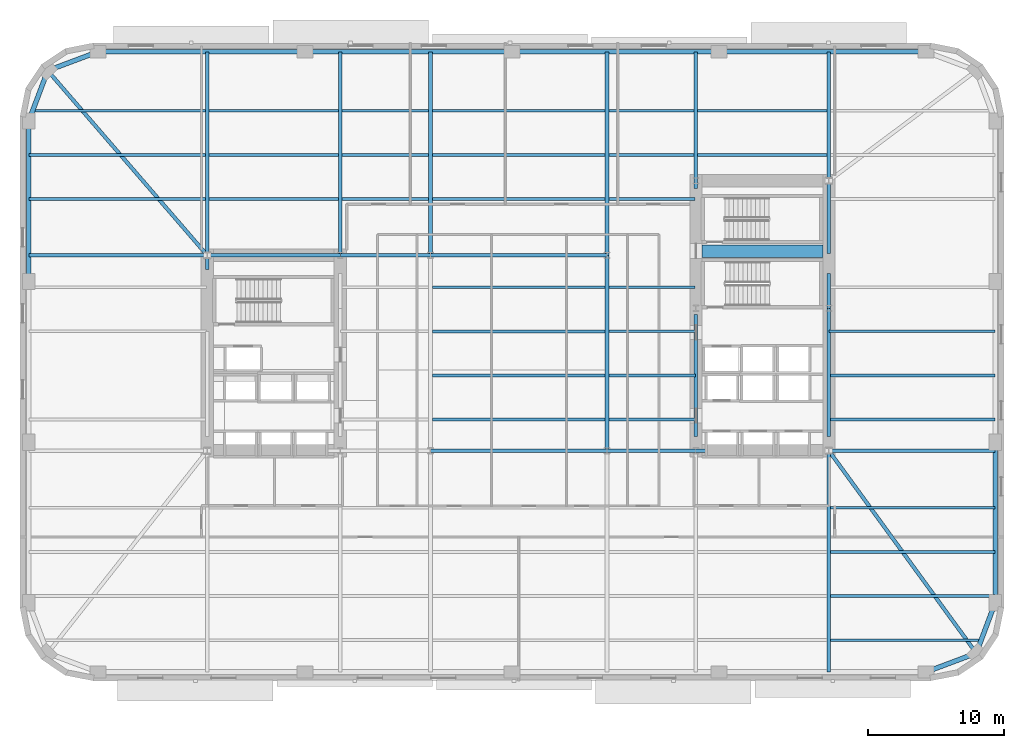
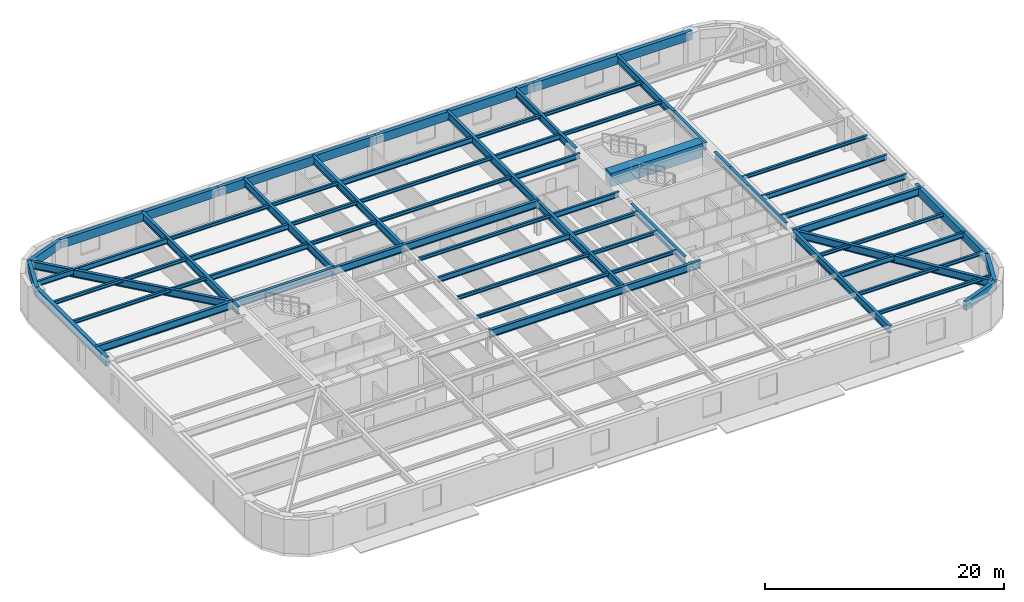
# One storey, part 2 of 14: 64 beams.
"""IFC4 building model written with IfcOpenShell, lengths in metres."""

from ifc_helpers import new_model, si_unit, direction, frame, origin, origin_2d, place, context, subcontext, project, spatial, rectangle, hollow_rectangle, i_section, extrude, material, material_profile, profile_set, type_object, element, save


model = new_model("IFC4")

# Units and contexts
model_context = context("Model", 3, precision=1e-05, world=origin(), true_north=direction((0.0, 1.0)))
body_context = subcontext(model_context, "Body", "Model", "MODEL_VIEW")
ifc_project = project(units=[si_unit("LENGTHUNIT", "METRE"), si_unit("AREAUNIT", "SQUARE_METRE"), si_unit("VOLUMEUNIT", "CUBIC_METRE"), si_unit("PLANEANGLEUNIT", "RADIAN"), si_unit("MASSUNIT", "GRAM", prefix="KILO")], contexts=[model_context])

# Site, building, storey
site_placement = place(None, origin())
site = spatial("IfcSite", under=ifc_project, at=site_placement, CompositionType="ELEMENT")
building_placement = place(site_placement, origin())
building = spatial("IfcBuilding", under=site, at=building_placement, Name="Kolvaren Arena Tower", CompositionType="ELEMENT")
storey_placement = place(building_placement, frame((0.0, 0.0, 75.75)))
storey = spatial("IfcBuildingStorey", under=building, at=storey_placement, Name="L16", CompositionType="ELEMENT", Elevation=75.75)

# Beams
ifc_material_1 = material(Name="Steel CSA G40.21 350W", Category="steel")
ifc_material_profile_1 = material_profile(ifc_material_1, i_section(OverallWidth=0.2119140625, OverallDepth=0.54296875, WebThickness=0.01318359375, FlangeThickness=0.0244140625, FilletRadius=0.013916015625, at=origin_2d()), Name="W530x150")
ifc_profile_set_1 = profile_set([ifc_material_profile_1], Name="Steel CSA G40.21 350W")
beam_type_1 = type_object("IfcBeamType", Name="BEAM-F1", PredefinedType="BEAM", material=ifc_profile_set_1)
beam_1_placement = place(storey_placement, frame((60.485107421875, 12.0, 3.20849609375), z_axis=(1.0, 0.0, 0.0), x_axis=(0.0, 1.0, 0.0)))
element("IfcBeam", 1, at=beam_1_placement, inside=storey, type_object=beam_type_1, Name="Composite Floor Beam (L16)", PredefinedType="BEAM", context=body_context, shape_type="SweptSolid", body=[
    extrude(i_section(OverallWidth=0.2119140625, OverallDepth=0.54296875, WebThickness=0.01318359375, FlangeThickness=0.0244140625, FilletRadius=0.013916015625, at=origin_2d()), origin(), (0.0, 0.0, 1.0), 12.114990234375),
])
for number, where, z_axis, x_axis, name in (
    (2, (60.3701171875, 21.75, 3.20849609375), (1.0, 0.0, 0.0), (0.0, 1.0, 0.0), "Composite Floor Beam (L16)"),
    (3, (60.3701171875, 25.0, 3.20849609375), (1.0, 0.0, 0.0), (0.0, 1.0, 0.0), "Composite Floor Beam (L16)"),
):
    element("IfcBeam", number, at=place(storey_placement, frame(where, z_axis=z_axis, x_axis=x_axis)), inside=storey, type_object=beam_type_1, Name=name, PredefinedType="BEAM", context=body_context, shape_type="SweptSolid", body=[
        extrude(i_section(OverallWidth=0.2119140625, OverallDepth=0.54296875, WebThickness=0.01318359375, FlangeThickness=0.0244140625, FilletRadius=0.013916015625, at=origin_2d()), origin(), (0.0, 0.0, 1.0), 12.22998046875),
    ])
beam_2_placement = place(storey_placement, frame((31.135009765625, 28.25, 3.20849609375), z_axis=(1.0, 0.0, 0.0), x_axis=(0.0, 1.0, 0.0)))
element("IfcBeam", 4, at=beam_2_placement, inside=storey, type_object=beam_type_1, Name="Composite Floor Beam (L16)", PredefinedType="BEAM", context=body_context, shape_type="SweptSolid", body=[
    extrude(i_section(OverallWidth=0.2119140625, OverallDepth=0.54296875, WebThickness=0.01318359375, FlangeThickness=0.0244140625, FilletRadius=0.013916015625, at=origin_2d()), origin(), (0.0, 0.0, 1.0), 12.72998046875),
])
beam_3_placement = place(storey_placement, frame((44.135009765625, 31.5, 3.20849609375), z_axis=(1.0, 0.0, 0.0), x_axis=(0.0, 1.0, 0.0)))
element("IfcBeam", 5, at=beam_3_placement, inside=storey, type_object=beam_type_1, Name="Composite Floor Beam (L16)", PredefinedType="BEAM", context=body_context, shape_type="SweptSolid", body=[
    extrude(i_section(OverallWidth=0.2119140625, OverallDepth=0.54296875, WebThickness=0.01318359375, FlangeThickness=0.0244140625, FilletRadius=0.013916015625, at=origin_2d()), origin(), (0.0, 0.0, 1.0), 6.344970703125),
])
beam_4_placement = place(storey_placement, frame((14.68505859375, 38.0, 3.20849609375), z_axis=(1.0, 0.0, 0.0), x_axis=(0.0, 1.0, 0.0)))
element("IfcBeam", 6, at=beam_4_placement, inside=storey, type_object=beam_type_1, Name="Composite Floor Beam (L16)", PredefinedType="BEAM", context=body_context, shape_type="SweptSolid", body=[
    extrude(i_section(OverallWidth=0.2119140625, OverallDepth=0.54296875, WebThickness=0.01318359375, FlangeThickness=0.0244140625, FilletRadius=0.013916015625, at=origin_2d()), origin(), (0.0, 0.0, 1.0), 9.530029296875),
])
beam_5_placement = place(storey_placement, frame((44.135009765625, 38.0, 3.20849609375), z_axis=(1.0, 0.0, 0.0), x_axis=(0.0, 1.0, 0.0)))
element("IfcBeam", 7, at=beam_5_placement, inside=storey, type_object=beam_type_1, Name="Composite Floor Beam (L16)", PredefinedType="BEAM", context=body_context, shape_type="SweptSolid", body=[
    extrude(i_section(OverallWidth=0.2119140625, OverallDepth=0.54296875, WebThickness=0.01318359375, FlangeThickness=0.0244140625, FilletRadius=0.013916015625, at=origin_2d()), origin(), (0.0, 0.0, 1.0), 6.344970703125),
])
beam_6_placement = place(storey_placement, frame((14.68505859375, 41.25, 3.20849609375), z_axis=(1.0, 0.0, 0.0), x_axis=(0.0, 1.0, 0.0)))
element("IfcBeam", 8, at=beam_6_placement, inside=storey, type_object=beam_type_1, Name="Composite Floor Beam (L16)", PredefinedType="BEAM", context=body_context, shape_type="SweptSolid", body=[
    extrude(i_section(OverallWidth=0.2119140625, OverallDepth=0.54296875, WebThickness=0.01318359375, FlangeThickness=0.0244140625, FilletRadius=0.013916015625, at=origin_2d()), origin(), (0.0, 0.0, 1.0), 9.530029296875),
])
beam_7_placement = place(storey_placement, frame((44.135009765625, 41.25, 3.20849609375), z_axis=(1.0, 0.0, 0.0), x_axis=(0.0, 1.0, 0.0)))
element("IfcBeam", 9, at=beam_7_placement, inside=storey, type_object=beam_type_1, Name="Composite Floor Beam (L16)", PredefinedType="BEAM", context=body_context, shape_type="SweptSolid", body=[
    extrude(i_section(OverallWidth=0.2119140625, OverallDepth=0.54296875, WebThickness=0.01318359375, FlangeThickness=0.0244140625, FilletRadius=0.013916015625, at=origin_2d()), origin(), (0.0, 0.0, 1.0), 6.280029296875),
])
beam_8_placement = place(storey_placement, frame((1.681396484375, 44.5, 3.20849609375), z_axis=(1.0, 0.0, 0.0), x_axis=(0.0, 1.0, 0.0)))
element("IfcBeam", 10, at=beam_8_placement, inside=storey, type_object=beam_type_1, Name="Composite Floor Beam (L16)", PredefinedType="BEAM", context=body_context, shape_type="SweptSolid", body=[
    extrude(i_section(OverallWidth=0.2119140625, OverallDepth=0.54296875, WebThickness=0.01318359375, FlangeThickness=0.0244140625, FilletRadius=0.013916015625, at=origin_2d()), origin(), (0.0, 0.0, 1.0), 12.733642578125),
])
beam_9_placement = place(storey_placement, frame((31.135009765625, 44.5, 3.20849609375), z_axis=(1.0, 0.0, 0.0), x_axis=(0.0, 1.0, 0.0)))
element("IfcBeam", 11, at=beam_9_placement, inside=storey, type_object=beam_type_1, Name="Composite Floor Beam (L16)", PredefinedType="BEAM", context=body_context, shape_type="SweptSolid", body=[
    extrude(i_section(OverallWidth=0.2119140625, OverallDepth=0.54296875, WebThickness=0.01318359375, FlangeThickness=0.0244140625, FilletRadius=0.013916015625, at=origin_2d()), origin(), (0.0, 0.0, 1.0), 12.72998046875),
])
ifc_material_2 = material(Name="Concrete 75 MPa", Category="concrete")
ifc_material_profile_2 = material_profile(ifc_material_2, rectangle(XDim=0.89990234375, YDim=1.39990234375, at=origin_2d()), Name="RC-900x1400")
ifc_profile_set_2 = profile_set([ifc_material_profile_2], Name="Concrete 75 MPa")
beam_type_2 = type_object("IfcBeamType", Name="CB-CORE-1", PredefinedType="BEAM", material=ifc_profile_set_2)
beam_10_placement = place(storey_placement, frame((51.0, 34.14990234375, 3.050048828125), z_axis=(1.0, 0.0, 0.0), x_axis=(0.0, 1.0, 0.0)))
element("IfcBeam", 12, at=beam_10_placement, inside=storey, type_object=beam_type_2, Name="East Core Coupling Beam (L16)", PredefinedType="BEAM", context=body_context, shape_type="SweptSolid", body=[
    extrude(rectangle(XDim=0.89990234375, YDim=1.39990234375, at=origin_2d()), origin(), (0.0, 0.0, 1.0), 8.89990234375),
])
ifc_material_profile_3 = material_profile(ifc_material_1, i_section(OverallWidth=0.27001953125, OverallDepth=0.77294921875, WebThickness=0.019287109375, FlangeThickness=0.033447265625, FilletRadius=0.01806640625, at=origin_2d()), Name="W760x257")
ifc_profile_set_3 = profile_set([ifc_material_profile_3], Name="Steel CSA G40.21 350W")
beam_type_3 = type_object("IfcBeamType", Name="GIRD-T1", PredefinedType="BEAM", material=ifc_profile_set_3)
beam_11_placement = place(storey_placement, frame((71.208740234375, 4.541259765625, 3.093505859375), z_axis=(-0.588737448901, 0.80832432616, 0.0), x_axis=(-0.80832432616, -0.588737448901, 0.0)))
element("IfcBeam", 13, at=beam_11_placement, inside=storey, type_object=beam_type_3, Name="Corner Diagonal Tie Girder (L16)", PredefinedType="BEAM", context=body_context, shape_type="SweptSolid", body=[
    extrude(i_section(OverallWidth=0.27001953125, OverallDepth=0.77294921875, WebThickness=0.019287109375, FlangeThickness=0.033447265625, FilletRadius=0.01806640625, at=origin_2d()), origin(), (0.0, 0.0, 1.0), 18.44384765625),
])
beam_12_placement = place(storey_placement, frame((2.791259765625, 47.458740234375, 3.093505859375), z_axis=(0.653806810332, -0.756661519283, 0.0), x_axis=(0.756661519283, 0.653806810332, 0.0)))
element("IfcBeam", 14, at=beam_12_placement, inside=storey, type_object=beam_type_3, Name="Corner Diagonal Tie Girder (L16)", PredefinedType="BEAM", context=body_context, shape_type="SweptSolid", body=[
    extrude(i_section(OverallWidth=0.27001953125, OverallDepth=0.77294921875, WebThickness=0.019287109375, FlangeThickness=0.033447265625, FilletRadius=0.01806640625, at=origin_2d()), origin(), (0.0, 0.0, 1.0), 17.985107421875),
])
beam_13_placement = place(storey_placement, frame((31.0, 19.449951171875, 3.093505859375), z_axis=(1.0, 0.0, 0.0), x_axis=(0.0, 1.0, 0.0)))
element("IfcBeam", 15, at=beam_13_placement, inside=storey, type_object=beam_type_3, Name="Primary Floor Girder (L16)", PredefinedType="BEAM", context=body_context, shape_type="SweptSolid", body=[
    extrude(i_section(OverallWidth=0.27001953125, OverallDepth=0.77294921875, WebThickness=0.019287109375, FlangeThickness=0.033447265625, FilletRadius=0.01806640625, at=origin_2d()), origin(), (0.0, 0.0, 1.0), 13.0),
])
beam_14_placement = place(storey_placement, frame((44.0, 19.449951171875, 3.093505859375), z_axis=(1.0, 0.0, 0.0), x_axis=(0.0, 1.0, 0.0)))
element("IfcBeam", 16, at=beam_14_placement, inside=storey, type_object=beam_type_3, Name="Primary Floor Girder (L16)", PredefinedType="BEAM", context=body_context, shape_type="SweptSolid", body=[
    extrude(i_section(OverallWidth=0.27001953125, OverallDepth=0.77294921875, WebThickness=0.019287109375, FlangeThickness=0.033447265625, FilletRadius=0.01806640625, at=origin_2d()), origin(), (0.0, 0.0, 1.0), 7.4150390625),
])
beam_15_placement = place(storey_placement, frame((60.35009765625, 19.449951171875, 3.093505859375), z_axis=(1.0, 0.0, 0.0), x_axis=(0.0, 1.0, 0.0)))
element("IfcBeam", 17, at=beam_15_placement, inside=storey, type_object=beam_type_3, Name="Primary Floor Girder (L16)", PredefinedType="BEAM", context=body_context, shape_type="SweptSolid", body=[
    extrude(i_section(OverallWidth=0.27001953125, OverallDepth=0.77294921875, WebThickness=0.019287109375, FlangeThickness=0.033447265625, FilletRadius=0.01806640625, at=origin_2d()), origin(), (0.0, 0.0, 1.0), 12.25),
])
beam_16_placement = place(storey_placement, frame((1.39990234375, 33.85009765625, 3.093505859375), z_axis=(1.0, 0.0, 0.0), x_axis=(0.0, 1.0, 0.0)))
element("IfcBeam", 18, at=beam_16_placement, inside=storey, type_object=beam_type_3, Name="Primary Floor Girder (L16)", PredefinedType="BEAM", context=body_context, shape_type="SweptSolid", body=[
    extrude(i_section(OverallWidth=0.27001953125, OverallDepth=0.77294921875, WebThickness=0.019287109375, FlangeThickness=0.033447265625, FilletRadius=0.01806640625, at=origin_2d()), origin(), (0.0, 0.0, 1.0), 13.150146484375),
])
beam_17_placement = place(storey_placement, frame((14.550048828125, 33.85009765625, 3.093505859375), z_axis=(1.0, 0.0, 0.0), x_axis=(0.0, 1.0, 0.0)))
element("IfcBeam", 19, at=beam_17_placement, inside=storey, type_object=beam_type_3, Name="Primary Floor Girder (L16)", PredefinedType="BEAM", context=body_context, shape_type="SweptSolid", body=[
    extrude(i_section(OverallWidth=0.27001953125, OverallDepth=0.77294921875, WebThickness=0.019287109375, FlangeThickness=0.033447265625, FilletRadius=0.01806640625, at=origin_2d()), origin(), (0.0, 0.0, 1.0), 9.800048828125),
])
beam_18_placement = place(storey_placement, frame((24.35009765625, 33.85009765625, 3.093505859375), z_axis=(1.0, 0.0, 0.0), x_axis=(0.0, 1.0, 0.0)))
element("IfcBeam", 20, at=beam_18_placement, inside=storey, type_object=beam_type_3, Name="Primary Floor Girder (L16)", PredefinedType="BEAM", context=body_context, shape_type="SweptSolid", body=[
    extrude(i_section(OverallWidth=0.27001953125, OverallDepth=0.77294921875, WebThickness=0.019287109375, FlangeThickness=0.033447265625, FilletRadius=0.01806640625, at=origin_2d()), origin(), (0.0, 0.0, 1.0), 6.64990234375),
])
beam_19_placement = place(storey_placement, frame((31.0, 33.85009765625, 3.093505859375), z_axis=(1.0, 0.0, 0.0), x_axis=(0.0, 1.0, 0.0)))
element("IfcBeam", 21, at=beam_19_placement, inside=storey, type_object=beam_type_3, Name="Primary Floor Girder (L16)", PredefinedType="BEAM", context=body_context, shape_type="SweptSolid", body=[
    extrude(i_section(OverallWidth=0.27001953125, OverallDepth=0.77294921875, WebThickness=0.019287109375, FlangeThickness=0.033447265625, FilletRadius=0.01806640625, at=origin_2d()), origin(), (0.0, 0.0, 1.0), 13.0),
])
beam_20_placement = place(storey_placement, frame((14.550048828125, 32.7900390625, 3.093505859375), z_axis=(0.0, 1.0, 0.0), x_axis=(-1.0, 0.0, 0.0)))
element("IfcBeam", 22, at=beam_20_placement, inside=storey, type_object=beam_type_3, Name="Primary Floor Girder (L16)", PredefinedType="BEAM", context=body_context, shape_type="SweptSolid", body=[
    extrude(i_section(OverallWidth=0.27001953125, OverallDepth=0.77294921875, WebThickness=0.019287109375, FlangeThickness=0.033447265625, FilletRadius=0.01806640625, at=origin_2d()), origin(), (0.0, 0.0, 1.0), 16.06005859375),
])
for number, where, z_axis, x_axis, name in (
    (23, (24.35009765625, 33.85009765625, 3.093505859375), (0.0, 1.0, 0.0), (-1.0, 0.0, 0.0), "Primary Floor Girder (L16)"),
    (24, (31.0, 33.85009765625, 3.093505859375), (0.0, 1.0, 0.0), (-1.0, 0.0, 0.0), "Primary Floor Girder (L16)"),
):
    element("IfcBeam", number, at=place(storey_placement, frame(where, z_axis=z_axis, x_axis=x_axis)), inside=storey, type_object=beam_type_3, Name=name, PredefinedType="BEAM", context=body_context, shape_type="SweptSolid", body=[
        extrude(i_section(OverallWidth=0.27001953125, OverallDepth=0.77294921875, WebThickness=0.019287109375, FlangeThickness=0.033447265625, FilletRadius=0.01806640625, at=origin_2d()), origin(), (0.0, 0.0, 1.0), 15.0),
    ])
beam_21_placement = place(storey_placement, frame((44.0, 19.449951171875, 3.093505859375), z_axis=(0.0, 1.0, 0.0), x_axis=(-1.0, 0.0, 0.0)))
element("IfcBeam", 25, at=beam_21_placement, inside=storey, type_object=beam_type_3, Name="Primary Floor Girder (L16)", PredefinedType="BEAM", context=body_context, shape_type="SweptSolid", body=[
    extrude(i_section(OverallWidth=0.27001953125, OverallDepth=0.77294921875, WebThickness=0.019287109375, FlangeThickness=0.033447265625, FilletRadius=0.01806640625, at=origin_2d()), origin(), (0.0, 0.0, 1.0), 14.400146484375),
])
beam_22_placement = place(storey_placement, frame((44.0, 33.85009765625, 3.093505859375), z_axis=(0.0, 1.0, 0.0), x_axis=(-1.0, 0.0, 0.0)))
element("IfcBeam", 26, at=beam_22_placement, inside=storey, type_object=beam_type_3, Name="Primary Floor Girder (L16)", PredefinedType="BEAM", context=body_context, shape_type="SweptSolid", body=[
    extrude(i_section(OverallWidth=0.27001953125, OverallDepth=0.77294921875, WebThickness=0.019287109375, FlangeThickness=0.033447265625, FilletRadius=0.01806640625, at=origin_2d()), origin(), (0.0, 0.0, 1.0), 15.0),
])
beam_23_placement = place(storey_placement, frame((50.550048828125, 20.5, 3.093505859375), z_axis=(0.0, 1.0, 0.0), x_axis=(-1.0, 0.0, 0.0)))
element("IfcBeam", 27, at=beam_23_placement, inside=storey, type_object=beam_type_3, Name="Primary Floor Girder (L16)", PredefinedType="BEAM", context=body_context, shape_type="SweptSolid", body=[
    extrude(i_section(OverallWidth=0.27001953125, OverallDepth=0.77294921875, WebThickness=0.019287109375, FlangeThickness=0.033447265625, FilletRadius=0.01806640625, at=origin_2d()), origin(), (0.0, 0.0, 1.0), 8.989990234375),
])
beam_24_placement = place(storey_placement, frame((50.550048828125, 38.760009765625, 3.093505859375), z_axis=(0.0, 1.0, 0.0), x_axis=(-1.0, 0.0, 0.0)))
element("IfcBeam", 28, at=beam_24_placement, inside=storey, type_object=beam_type_3, Name="Primary Floor Girder (L16)", PredefinedType="BEAM", context=body_context, shape_type="SweptSolid", body=[
    extrude(i_section(OverallWidth=0.27001953125, OverallDepth=0.77294921875, WebThickness=0.019287109375, FlangeThickness=0.033447265625, FilletRadius=0.01806640625, at=origin_2d()), origin(), (0.0, 0.0, 1.0), 10.090087890625),
])
beam_25_placement = place(storey_placement, frame((60.35009765625, 3.14990234375, 3.093505859375), z_axis=(0.0, 1.0, 0.0), x_axis=(-1.0, 0.0, 0.0)))
element("IfcBeam", 29, at=beam_25_placement, inside=storey, type_object=beam_type_3, Name="Primary Floor Girder (L16)", PredefinedType="BEAM", context=body_context, shape_type="SweptSolid", body=[
    extrude(i_section(OverallWidth=0.27001953125, OverallDepth=0.77294921875, WebThickness=0.019287109375, FlangeThickness=0.033447265625, FilletRadius=0.01806640625, at=origin_2d()), origin(), (0.0, 0.0, 1.0), 16.300048828125),
])
beam_26_placement = place(storey_placement, frame((60.35009765625, 20.5, 3.093505859375), z_axis=(0.0, 1.0, 0.0), x_axis=(-1.0, 0.0, 0.0)))
element("IfcBeam", 30, at=beam_26_placement, inside=storey, type_object=beam_type_3, Name="Primary Floor Girder (L16)", PredefinedType="BEAM", context=body_context, shape_type="SweptSolid", body=[
    extrude(i_section(OverallWidth=0.27001953125, OverallDepth=0.77294921875, WebThickness=0.019287109375, FlangeThickness=0.033447265625, FilletRadius=0.01806640625, at=origin_2d()), origin(), (0.0, 0.0, 1.0), 9.449951171875),
])
beam_27_placement = place(storey_placement, frame((60.35009765625, 29.949951171875, 3.093505859375), z_axis=(0.0, 1.0, 0.0), x_axis=(-1.0, 0.0, 0.0)))
element("IfcBeam", 31, at=beam_27_placement, inside=storey, type_object=beam_type_3, Name="Primary Floor Girder (L16)", PredefinedType="BEAM", context=body_context, shape_type="SweptSolid", body=[
    extrude(i_section(OverallWidth=0.27001953125, OverallDepth=0.77294921875, WebThickness=0.019287109375, FlangeThickness=0.033447265625, FilletRadius=0.01806640625, at=origin_2d()), origin(), (0.0, 0.0, 1.0), 2.550048828125),
])
beam_28_placement = place(storey_placement, frame((60.35009765625, 33.985107421875, 3.093505859375), z_axis=(0.0, 1.0, 0.0), x_axis=(-1.0, 0.0, 0.0)))
element("IfcBeam", 32, at=beam_28_placement, inside=storey, type_object=beam_type_3, Name="Primary Floor Girder (L16)", PredefinedType="BEAM", context=body_context, shape_type="SweptSolid", body=[
    extrude(i_section(OverallWidth=0.27001953125, OverallDepth=0.77294921875, WebThickness=0.019287109375, FlangeThickness=0.033447265625, FilletRadius=0.01806640625, at=origin_2d()), origin(), (0.0, 0.0, 1.0), 5.364990234375),
])
beam_29_placement = place(storey_placement, frame((60.35009765625, 39.35009765625, 3.093505859375), z_axis=(0.0, 1.0, 0.0), x_axis=(-1.0, 0.0, 0.0)))
element("IfcBeam", 33, at=beam_29_placement, inside=storey, type_object=beam_type_3, Name="Primary Floor Girder (L16)", PredefinedType="BEAM", context=body_context, shape_type="SweptSolid", body=[
    extrude(i_section(OverallWidth=0.27001953125, OverallDepth=0.77294921875, WebThickness=0.019287109375, FlangeThickness=0.033447265625, FilletRadius=0.01806640625, at=origin_2d()), origin(), (0.0, 0.0, 1.0), 9.5),
])
ifc_material_profile_4 = material_profile(ifc_material_1, i_section(OverallWidth=0.202880859375, OverallDepth=0.346923828125, WebThickness=0.0078125, FlangeThickness=0.013427734375, FilletRadius=0.010986328125, at=origin_2d()), Name="W360x64")
ifc_profile_set_4 = profile_set([ifc_material_profile_4], Name="Steel CSA G40.21 350W")
beam_type_4 = type_object("IfcBeamType", Name="JOIST-01", PredefinedType="JOIST", material=ifc_profile_set_4)
beam_30_placement = place(storey_placement, frame((60.485107421875, 5.5, 3.306396484375), z_axis=(1.0, 0.0, 0.0), x_axis=(0.0, 1.0, 0.0)))
element("IfcBeam", 34, at=beam_30_placement, inside=storey, type_object=beam_type_4, Name="Composite Floor Joist (L16)", PredefinedType="JOIST", context=body_context, shape_type="SweptSolid", body=[
    extrude(i_section(OverallWidth=0.202880859375, OverallDepth=0.346923828125, WebThickness=0.0078125, FlangeThickness=0.013427734375, FilletRadius=0.010986328125, at=origin_2d()), origin(), (0.0, 0.0, 1.0), 11.08349609375),
])
for number, where, z_axis, x_axis, name in (
    (35, (60.485107421875, 8.75, 3.306396484375), (1.0, 0.0, 0.0), (0.0, 1.0, 0.0), "Composite Floor Joist (L16)"),
    (36, (60.485107421875, 15.25, 3.306396484375), (1.0, 0.0, 0.0), (0.0, 1.0, 0.0), "Composite Floor Joist (L16)"),
):
    element("IfcBeam", number, at=place(storey_placement, frame(where, z_axis=z_axis, x_axis=x_axis)), inside=storey, type_object=beam_type_4, Name=name, PredefinedType="JOIST", context=body_context, shape_type="SweptSolid", body=[
        extrude(i_section(OverallWidth=0.202880859375, OverallDepth=0.346923828125, WebThickness=0.0078125, FlangeThickness=0.013427734375, FilletRadius=0.010986328125, at=origin_2d()), origin(), (0.0, 0.0, 1.0), 12.114990234375),
    ])
beam_31_placement = place(storey_placement, frame((31.135009765625, 21.75, 3.306396484375), z_axis=(1.0, 0.0, 0.0), x_axis=(0.0, 1.0, 0.0)))
element("IfcBeam", 37, at=beam_31_placement, inside=storey, type_object=beam_type_4, Name="Composite Floor Joist (L16)", PredefinedType="JOIST", context=body_context, shape_type="SweptSolid", body=[
    extrude(i_section(OverallWidth=0.202880859375, OverallDepth=0.346923828125, WebThickness=0.0078125, FlangeThickness=0.013427734375, FilletRadius=0.010986328125, at=origin_2d()), origin(), (0.0, 0.0, 1.0), 12.72998046875),
])
beam_32_placement = place(storey_placement, frame((44.135009765625, 21.75, 3.306396484375), z_axis=(1.0, 0.0, 0.0), x_axis=(0.0, 1.0, 0.0)))
element("IfcBeam", 38, at=beam_32_placement, inside=storey, type_object=beam_type_4, Name="Composite Floor Joist (L16)", PredefinedType="JOIST", context=body_context, shape_type="SweptSolid", body=[
    extrude(i_section(OverallWidth=0.202880859375, OverallDepth=0.346923828125, WebThickness=0.0078125, FlangeThickness=0.013427734375, FilletRadius=0.010986328125, at=origin_2d()), origin(), (0.0, 0.0, 1.0), 6.39501953125),
])
beam_33_placement = place(storey_placement, frame((31.135009765625, 25.0, 3.306396484375), z_axis=(1.0, 0.0, 0.0), x_axis=(0.0, 1.0, 0.0)))
element("IfcBeam", 39, at=beam_33_placement, inside=storey, type_object=beam_type_4, Name="Composite Floor Joist (L16)", PredefinedType="JOIST", context=body_context, shape_type="SweptSolid", body=[
    extrude(i_section(OverallWidth=0.202880859375, OverallDepth=0.346923828125, WebThickness=0.0078125, FlangeThickness=0.013427734375, FilletRadius=0.010986328125, at=origin_2d()), origin(), (0.0, 0.0, 1.0), 12.72998046875),
])
for number, where, z_axis, x_axis, name in (
    (40, (44.135009765625, 25.0, 3.306396484375), (1.0, 0.0, 0.0), (0.0, 1.0, 0.0), "Composite Floor Joist (L16)"),
    (41, (44.135009765625, 28.25, 3.306396484375), (1.0, 0.0, 0.0), (0.0, 1.0, 0.0), "Composite Floor Joist (L16)"),
):
    element("IfcBeam", number, at=place(storey_placement, frame(where, z_axis=z_axis, x_axis=x_axis)), inside=storey, type_object=beam_type_4, Name=name, PredefinedType="JOIST", context=body_context, shape_type="SweptSolid", body=[
        extrude(i_section(OverallWidth=0.202880859375, OverallDepth=0.346923828125, WebThickness=0.0078125, FlangeThickness=0.013427734375, FilletRadius=0.010986328125, at=origin_2d()), origin(), (0.0, 0.0, 1.0), 6.39501953125),
    ])
beam_34_placement = place(storey_placement, frame((60.3701171875, 28.25, 3.306396484375), z_axis=(1.0, 0.0, 0.0), x_axis=(0.0, 1.0, 0.0)))
element("IfcBeam", 42, at=beam_34_placement, inside=storey, type_object=beam_type_4, Name="Composite Floor Joist (L16)", PredefinedType="JOIST", context=body_context, shape_type="SweptSolid", body=[
    extrude(i_section(OverallWidth=0.202880859375, OverallDepth=0.346923828125, WebThickness=0.0078125, FlangeThickness=0.013427734375, FilletRadius=0.010986328125, at=origin_2d()), origin(), (0.0, 0.0, 1.0), 12.22998046875),
])
beam_35_placement = place(storey_placement, frame((31.135009765625, 31.5, 3.306396484375), z_axis=(1.0, 0.0, 0.0), x_axis=(0.0, 1.0, 0.0)))
element("IfcBeam", 43, at=beam_35_placement, inside=storey, type_object=beam_type_4, Name="Composite Floor Joist (L16)", PredefinedType="JOIST", context=body_context, shape_type="SweptSolid", body=[
    extrude(i_section(OverallWidth=0.202880859375, OverallDepth=0.346923828125, WebThickness=0.0078125, FlangeThickness=0.013427734375, FilletRadius=0.010986328125, at=origin_2d()), origin(), (0.0, 0.0, 1.0), 12.72998046875),
])
beam_36_placement = place(storey_placement, frame((1.39990234375, 38.0, 3.306396484375), z_axis=(1.0, 0.0, 0.0), x_axis=(0.0, 1.0, 0.0)))
element("IfcBeam", 44, at=beam_36_placement, inside=storey, type_object=beam_type_4, Name="Composite Floor Joist (L16)", PredefinedType="JOIST", context=body_context, shape_type="SweptSolid", body=[
    extrude(i_section(OverallWidth=0.202880859375, OverallDepth=0.346923828125, WebThickness=0.0078125, FlangeThickness=0.013427734375, FilletRadius=0.010986328125, at=origin_2d()), origin(), (0.0, 0.0, 1.0), 13.01513671875),
])
beam_37_placement = place(storey_placement, frame((24.485107421875, 38.0, 3.306396484375), z_axis=(1.0, 0.0, 0.0), x_axis=(0.0, 1.0, 0.0)))
element("IfcBeam", 45, at=beam_37_placement, inside=storey, type_object=beam_type_4, Name="Composite Floor Joist (L16)", PredefinedType="JOIST", context=body_context, shape_type="SweptSolid", body=[
    extrude(i_section(OverallWidth=0.202880859375, OverallDepth=0.346923828125, WebThickness=0.0078125, FlangeThickness=0.013427734375, FilletRadius=0.010986328125, at=origin_2d()), origin(), (0.0, 0.0, 1.0), 6.3798828125),
])
beam_38_placement = place(storey_placement, frame((31.135009765625, 38.0, 3.306396484375), z_axis=(1.0, 0.0, 0.0), x_axis=(0.0, 1.0, 0.0)))
element("IfcBeam", 46, at=beam_38_placement, inside=storey, type_object=beam_type_4, Name="Composite Floor Joist (L16)", PredefinedType="JOIST", context=body_context, shape_type="SweptSolid", body=[
    extrude(i_section(OverallWidth=0.202880859375, OverallDepth=0.346923828125, WebThickness=0.0078125, FlangeThickness=0.013427734375, FilletRadius=0.010986328125, at=origin_2d()), origin(), (0.0, 0.0, 1.0), 12.72998046875),
])
beam_39_placement = place(storey_placement, frame((1.39990234375, 41.25, 3.306396484375), z_axis=(1.0, 0.0, 0.0), x_axis=(0.0, 1.0, 0.0)))
element("IfcBeam", 47, at=beam_39_placement, inside=storey, type_object=beam_type_4, Name="Composite Floor Joist (L16)", PredefinedType="JOIST", context=body_context, shape_type="SweptSolid", body=[
    extrude(i_section(OverallWidth=0.202880859375, OverallDepth=0.346923828125, WebThickness=0.0078125, FlangeThickness=0.013427734375, FilletRadius=0.010986328125, at=origin_2d()), origin(), (0.0, 0.0, 1.0), 13.01513671875),
])
beam_40_placement = place(storey_placement, frame((24.485107421875, 41.25, 3.306396484375), z_axis=(1.0, 0.0, 0.0), x_axis=(0.0, 1.0, 0.0)))
element("IfcBeam", 48, at=beam_40_placement, inside=storey, type_object=beam_type_4, Name="Composite Floor Joist (L16)", PredefinedType="JOIST", context=body_context, shape_type="SweptSolid", body=[
    extrude(i_section(OverallWidth=0.202880859375, OverallDepth=0.346923828125, WebThickness=0.0078125, FlangeThickness=0.013427734375, FilletRadius=0.010986328125, at=origin_2d()), origin(), (0.0, 0.0, 1.0), 6.3798828125),
])
beam_41_placement = place(storey_placement, frame((31.135009765625, 41.25, 3.306396484375), z_axis=(1.0, 0.0, 0.0), x_axis=(0.0, 1.0, 0.0)))
element("IfcBeam", 49, at=beam_41_placement, inside=storey, type_object=beam_type_4, Name="Composite Floor Joist (L16)", PredefinedType="JOIST", context=body_context, shape_type="SweptSolid", body=[
    extrude(i_section(OverallWidth=0.202880859375, OverallDepth=0.346923828125, WebThickness=0.0078125, FlangeThickness=0.013427734375, FilletRadius=0.010986328125, at=origin_2d()), origin(), (0.0, 0.0, 1.0), 12.72998046875),
])
for number, where, z_axis, x_axis, name in (
    (50, (50.68505859375, 41.25, 3.306396484375), (1.0, 0.0, 0.0), (0.0, 1.0, 0.0), "Composite Floor Joist (L16)"),
    (51, (14.68505859375, 44.5, 3.306396484375), (1.0, 0.0, 0.0), (0.0, 1.0, 0.0), "Composite Floor Joist (L16)"),
):
    element("IfcBeam", number, at=place(storey_placement, frame(where, z_axis=z_axis, x_axis=x_axis)), inside=storey, type_object=beam_type_4, Name=name, PredefinedType="JOIST", context=body_context, shape_type="SweptSolid", body=[
        extrude(i_section(OverallWidth=0.202880859375, OverallDepth=0.346923828125, WebThickness=0.0078125, FlangeThickness=0.013427734375, FilletRadius=0.010986328125, at=origin_2d()), origin(), (0.0, 0.0, 1.0), 9.530029296875),
    ])
beam_42_placement = place(storey_placement, frame((24.485107421875, 44.5, 3.306396484375), z_axis=(1.0, 0.0, 0.0), x_axis=(0.0, 1.0, 0.0)))
element("IfcBeam", 52, at=beam_42_placement, inside=storey, type_object=beam_type_4, Name="Composite Floor Joist (L16)", PredefinedType="JOIST", context=body_context, shape_type="SweptSolid", body=[
    extrude(i_section(OverallWidth=0.202880859375, OverallDepth=0.346923828125, WebThickness=0.0078125, FlangeThickness=0.013427734375, FilletRadius=0.010986328125, at=origin_2d()), origin(), (0.0, 0.0, 1.0), 6.3798828125),
])
beam_43_placement = place(storey_placement, frame((44.135009765625, 44.5, 3.306396484375), z_axis=(1.0, 0.0, 0.0), x_axis=(0.0, 1.0, 0.0)))
element("IfcBeam", 53, at=beam_43_placement, inside=storey, type_object=beam_type_4, Name="Composite Floor Joist (L16)", PredefinedType="JOIST", context=body_context, shape_type="SweptSolid", body=[
    extrude(i_section(OverallWidth=0.202880859375, OverallDepth=0.346923828125, WebThickness=0.0078125, FlangeThickness=0.013427734375, FilletRadius=0.010986328125, at=origin_2d()), origin(), (0.0, 0.0, 1.0), 6.280029296875),
])
beam_44_placement = place(storey_placement, frame((50.68505859375, 44.5, 3.306396484375), z_axis=(1.0, 0.0, 0.0), x_axis=(0.0, 1.0, 0.0)))
element("IfcBeam", 54, at=beam_44_placement, inside=storey, type_object=beam_type_4, Name="Composite Floor Joist (L16)", PredefinedType="JOIST", context=body_context, shape_type="SweptSolid", body=[
    extrude(i_section(OverallWidth=0.202880859375, OverallDepth=0.346923828125, WebThickness=0.0078125, FlangeThickness=0.013427734375, FilletRadius=0.010986328125, at=origin_2d()), origin(), (0.0, 0.0, 1.0), 9.530029296875),
])
ifc_material_3 = material(Name="Steel CSA G40.21 350WT", Category="steel")
ifc_material_profile_5 = material_profile(ifc_material_3, hollow_rectangle(XDim=0.35009765625, YDim=0.89990234375, WallThickness=0.02001953125, at=origin_2d()), Name="HSS 900x350x20")
ifc_profile_set_5 = profile_set([ifc_material_profile_5], Name="Steel CSA G40.21 350WT")
beam_type_5 = type_object("IfcBeamType", Name="SPAND-01", PredefinedType="SPANDREL", material=ifc_profile_set_5)
for number, where, z_axis, x_axis, name in (
    (55, (67.5, 3.14990234375, 3.030029296875), (0.93628104365, 0.351251771955, 0.0), (-0.351251771955, 0.93628104365, 0.0), "Perimeter Spandrel Beam (L16)"),
    (56, (71.208740234375, 4.541259765625, 3.030029296875), (0.351251771955, 0.93628104365, 0.0), (-0.93628104365, 0.351251771955, 0.0), "Perimeter Spandrel Beam (L16)"),
):
    element("IfcBeam", number, at=place(storey_placement, frame(where, z_axis=z_axis, x_axis=x_axis)), inside=storey, type_object=beam_type_5, Name=name, PredefinedType="SPANDREL", context=body_context, shape_type="SweptSolid", body=[
        extrude(hollow_rectangle(XDim=0.35009765625, YDim=0.89990234375, WallThickness=0.02001953125, at=origin_2d()), origin(), (0.0, 0.0, 1.0), 3.961181640625),
    ])
beam_45_placement = place(storey_placement, frame((72.60009765625, 8.25, 3.030029296875), z_axis=(0.0, 1.0, 0.0), x_axis=(-1.0, 0.0, 0.0)))
element("IfcBeam", 57, at=beam_45_placement, inside=storey, type_object=beam_type_5, Name="Perimeter Spandrel Beam (L16)", PredefinedType="SPANDREL", context=body_context, shape_type="SweptSolid", body=[
    extrude(hollow_rectangle(XDim=0.35009765625, YDim=0.89990234375, WallThickness=0.02001953125, at=origin_2d()), origin(), (0.0, 0.0, 1.0), 11.833251953125),
])
for number, where, z_axis, x_axis, name in (
    (58, (67.5, 48.85009765625, 3.030029296875), (-1.0, 0.0, 0.0), (0.0, -1.0, 0.0), "Perimeter Spandrel Beam (L16)"),
    (59, (52.25, 48.85009765625, 3.030029296875), (-1.0, 0.0, 0.0), (0.0, -1.0, 0.0), "Perimeter Spandrel Beam (L16)"),
    (60, (37.0, 48.85009765625, 3.030029296875), (-1.0, 0.0, 0.0), (0.0, -1.0, 0.0), "Perimeter Spandrel Beam (L16)"),
    (61, (21.75, 48.85009765625, 3.030029296875), (-1.0, 0.0, 0.0), (0.0, -1.0, 0.0), "Perimeter Spandrel Beam (L16)"),
):
    element("IfcBeam", number, at=place(storey_placement, frame(where, z_axis=z_axis, x_axis=x_axis)), inside=storey, type_object=beam_type_5, Name=name, PredefinedType="SPANDREL", context=body_context, shape_type="SweptSolid", body=[
        extrude(hollow_rectangle(XDim=0.35009765625, YDim=0.89990234375, WallThickness=0.02001953125, at=origin_2d()), origin(), (0.0, 0.0, 1.0), 15.25),
    ])
for number, where, z_axis, x_axis, name in (
    (62, (6.5, 48.85009765625, 3.030029296875), (-0.93628104365, -0.351251771955, 0.0), (0.351251771955, -0.93628104365, 0.0), "Perimeter Spandrel Beam (L16)"),
    (63, (2.791259765625, 47.458740234375, 3.030029296875), (-0.351251771955, -0.93628104365, 0.0), (0.93628104365, -0.351251771955, 0.0), "Perimeter Spandrel Beam (L16)"),
):
    element("IfcBeam", number, at=place(storey_placement, frame(where, z_axis=z_axis, x_axis=x_axis)), inside=storey, type_object=beam_type_5, Name=name, PredefinedType="SPANDREL", context=body_context, shape_type="SweptSolid", body=[
        extrude(hollow_rectangle(XDim=0.35009765625, YDim=0.89990234375, WallThickness=0.02001953125, at=origin_2d()), origin(), (0.0, 0.0, 1.0), 3.961181640625),
    ])
beam_46_placement = place(storey_placement, frame((1.39990234375, 43.75, 3.030029296875), z_axis=(0.0, -1.0, 0.0), x_axis=(1.0, 0.0, 0.0)))
element("IfcBeam", 64, at=beam_46_placement, inside=storey, type_object=beam_type_5, Name="Perimeter Spandrel Beam (L16)", PredefinedType="SPANDREL", context=body_context, shape_type="SweptSolid", body=[
    extrude(hollow_rectangle(XDim=0.35009765625, YDim=0.89990234375, WallThickness=0.02001953125, at=origin_2d()), origin(), (0.0, 0.0, 1.0), 11.833251953125),
])

save(model, "model.ifc")
